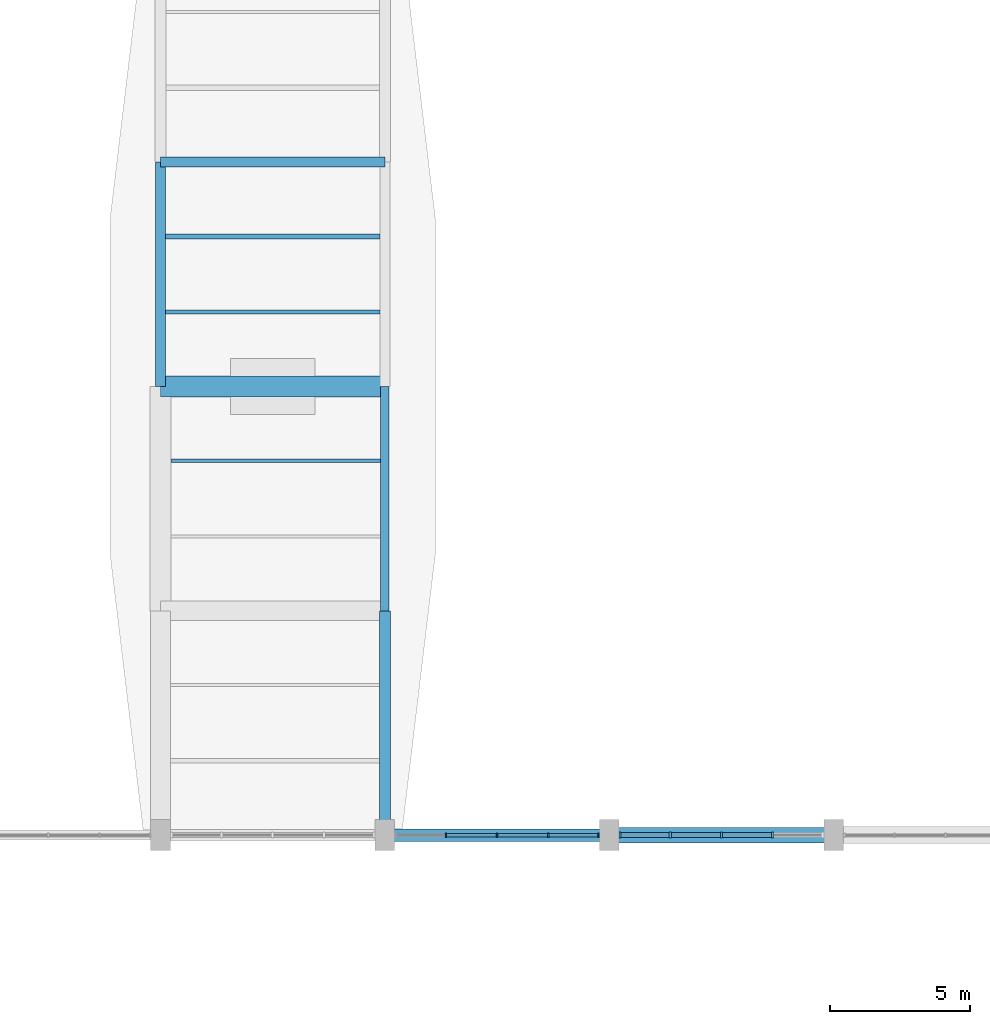
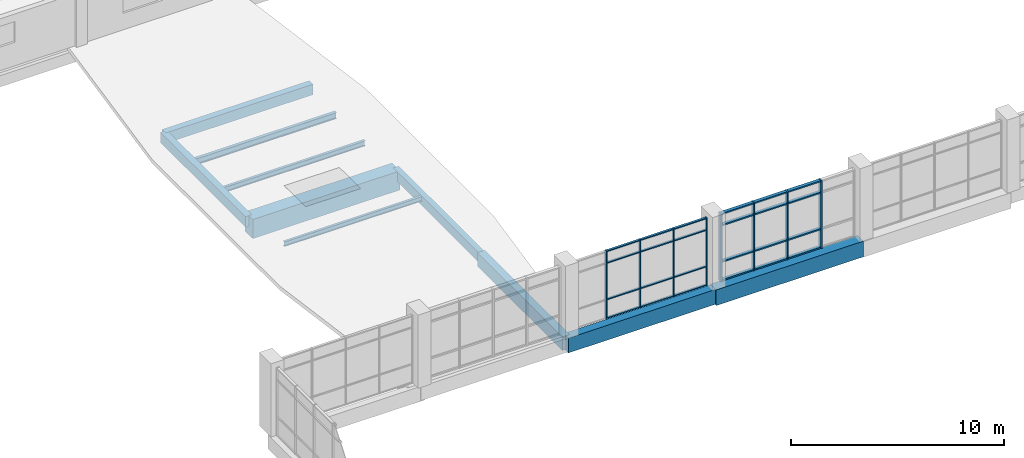
# One storey, part 8 of 72: 32 members, 10 beams, 2 elements without a shape of their own.
"""IFC4 building model written with IfcOpenShell, lengths in metres."""

from ifc_helpers import new_model, si_unit, direction, frame, origin, origin_2d, place, context, subcontext, project, spatial, rectangle, i_section, extrude, material, material_profile, profile_set, type_object, element, aggregate, save


model = new_model("IFC4")

# Units and contexts
model_context = context("Model", 3, precision=1e-05, world=origin(), true_north=direction((0.0, 1.0)))
body_context = subcontext(model_context, "Body", "Model", "MODEL_VIEW")
ifc_project = project(units=[si_unit("LENGTHUNIT", "METRE"), si_unit("AREAUNIT", "SQUARE_METRE"), si_unit("VOLUMEUNIT", "CUBIC_METRE"), si_unit("PLANEANGLEUNIT", "RADIAN"), si_unit("MASSUNIT", "GRAM", prefix="KILO")], contexts=[model_context])

# Site, building, storey
site_placement = place(None, origin())
site = spatial("IfcSite", under=ifc_project, at=site_placement, CompositionType="ELEMENT")
building_placement = place(site_placement, origin())
building = spatial("IfcBuilding", under=site, at=building_placement, Name="Tenunan Teduh Sports Hall", CompositionType="ELEMENT")
storey_placement = place(building_placement, frame((0.0, 0.0, 15.0)))
storey = spatial("IfcBuildingStorey", under=building, at=storey_placement, Name="L03", CompositionType="ELEMENT", Elevation=15.0)

# Beams
ifc_material_1 = material(Name="Concrete C40/50", Category="concrete")
ifc_material_profile_1 = material_profile(ifc_material_1, rectangle(XDim=0.300048828125, YDim=0.550048828125, at=origin_2d()), Name="RCB 300x550")
ifc_profile_set_1 = profile_set([ifc_material_profile_1], Name="Concrete C40/50")
beam_type_1 = type_object("IfcBeamType", Name="BM-RC-300x550", PredefinedType="BEAM", material=ifc_profile_set_1)
beam_1_placement = place(storey_placement, frame((22.0, 54.0, -0.514892578125), z_axis=(0.0, 1.0, 0.0), x_axis=(-1.0, 0.0, 0.0)))
element("IfcBeam", 1, at=beam_1_placement, inside=storey, type_object=beam_type_1, Name="BM-B-02-L03-1895", PredefinedType="BEAM", context=body_context, shape_type="SweptSolid", body=[
    extrude(rectangle(XDim=0.300048828125, YDim=0.550048828125, at=origin_2d()), origin(), (0.0, 0.0, 1.0), 8.0),
])
ifc_material_2 = material(Name="Concrete C40/50", Category="concrete")
ifc_material_profile_2 = material_profile(ifc_material_2, rectangle(XDim=0.35009765625, YDim=0.60009765625, at=origin_2d()), Name="RCB 350x600")
ifc_profile_set_2 = profile_set([ifc_material_profile_2], Name="Concrete C40/50")
beam_type_2 = type_object("IfcBeamType", Name="BM-RC-350x600", PredefinedType="BEAM", material=ifc_profile_set_2)
for number, where, z_axis, x_axis, name in (
    (2, (14.0, 70.0, -0.5400390625), (1.0, 0.0, 0.0), (0.0, 1.0, 0.0), "BM-B-04-L03-1824"),
    (3, (14.0, 62.0, -0.5400390625), (0.0, 1.0, 0.0), (-1.0, 0.0, 0.0), "BM-B-04-L03-1887"),
):
    element("IfcBeam", number, at=place(storey_placement, frame(where, z_axis=z_axis, x_axis=x_axis)), inside=storey, type_object=beam_type_2, Name=name, PredefinedType="BEAM", context=body_context, shape_type="SweptSolid", body=[
        extrude(rectangle(XDim=0.35009765625, YDim=0.60009765625, at=origin_2d()), origin(), (0.0, 0.0, 1.0), 8.0),
    ])
ifc_material_3 = material(Name="Concrete C40/50", Category="concrete")
ifc_material_profile_3 = material_profile(ifc_material_3, rectangle(XDim=0.449951171875, YDim=0.85009765625, at=origin_2d()), Name="RCB 450x850")
ifc_profile_set_3 = profile_set([ifc_material_profile_3], Name="Concrete C40/50")
beam_type_3 = type_object("IfcBeamType", Name="BM-RC-450x850", PredefinedType="BEAM", material=ifc_profile_set_3)
beam_2_placement = place(storey_placement, frame((22.0, 46.0, -0.6650390625), z_axis=(1.0, 0.0, 0.0), x_axis=(0.0, 1.0, 0.0)))
element("IfcBeam", 4, at=beam_2_placement, inside=storey, type_object=beam_type_3, Name="BM-B-13-L03-1818", PredefinedType="BEAM", context=body_context, shape_type="SweptSolid", body=[
    extrude(rectangle(XDim=0.449951171875, YDim=0.85009765625, at=origin_2d()), origin(), (0.0, 0.0, 1.0), 8.0),
])
ifc_material_4 = material(Name="Concrete C40/50", Category="concrete")
ifc_material_profile_4 = material_profile(ifc_material_4, rectangle(XDim=0.550048828125, YDim=0.89990234375, at=origin_2d()), Name="RCB 550x900")
ifc_profile_set_4 = profile_set([ifc_material_profile_4], Name="Concrete C40/50")
beam_type_4 = type_object("IfcBeamType", Name="BM-RC-550x900", PredefinedType="BEAM", material=ifc_profile_set_4)
beam_3_placement = place(storey_placement, frame((30.0, 46.0, -0.68994140625), z_axis=(1.0, 0.0, 0.0), x_axis=(0.0, 1.0, 0.0)))
element("IfcBeam", 5, at=beam_3_placement, inside=storey, type_object=beam_type_4, Name="BM-B-16-L03-1819", PredefinedType="BEAM", context=body_context, shape_type="SweptSolid", body=[
    extrude(rectangle(XDim=0.550048828125, YDim=0.89990234375, at=origin_2d()), origin(), (0.0, 0.0, 1.0), 8.0),
])
ifc_material_5 = material(Name="Concrete C40/50", Category="concrete")
ifc_material_profile_5 = material_profile(ifc_material_5, rectangle(XDim=0.75, YDim=1.10009765625, at=origin_2d()), Name="RCB 750x1100")
ifc_profile_set_5 = profile_set([ifc_material_profile_5], Name="Concrete C40/50")
beam_type_5 = type_object("IfcBeamType", Name="BM-RC-750x1100", PredefinedType="SPANDREL", material=ifc_profile_set_5)
beam_4_placement = place(storey_placement, frame((14.0, 62.0, -0.7900390625), z_axis=(1.0, 0.0, 0.0), x_axis=(0.0, 1.0, 0.0)))
element("IfcBeam", 6, at=beam_4_placement, inside=storey, type_object=beam_type_5, Name="BM-B-20-L03-1823", PredefinedType="SPANDREL", context=body_context, shape_type="SweptSolid", body=[
    extrude(rectangle(XDim=0.75, YDim=1.10009765625, at=origin_2d()), origin(), (0.0, 0.0, 1.0), 8.0),
])
ifc_material_6 = material(Name="Concrete C40/50", Category="concrete")
ifc_material_profile_6 = material_profile(ifc_material_6, rectangle(XDim=0.39990234375, YDim=0.780029296875, at=origin_2d()), Name="TB 400x780")
ifc_profile_set_6 = profile_set([ifc_material_profile_6], Name="Concrete C40/50")
beam_type_6 = type_object("IfcBeamType", Name="BM-TB-400x780", PredefinedType="T_BEAM", material=ifc_profile_set_6)
beam_5_placement = place(storey_placement, frame((22.0, 46.0, -0.6298828125), z_axis=(0.0, 1.0, 0.0), x_axis=(-1.0, 0.0, 0.0)))
element("IfcBeam", 7, at=beam_5_placement, inside=storey, type_object=beam_type_6, Name="BM-TB-02-L03-1894", PredefinedType="T_BEAM", context=body_context, shape_type="SweptSolid", body=[
    extrude(rectangle(XDim=0.39990234375, YDim=0.780029296875, at=origin_2d()), origin(), (0.0, 0.0, 1.0), 8.0),
])

# Curtain wall, members
ifc_material_7 = material(Name="Anodised aluminium", Category="aluminium")
curtain_wall_type = type_object("IfcCurtainWallType", Name="CW-UNIT-2", PredefinedType="NOTDEFINED", material=ifc_material_7)
curtain_wall_1_placement = place(storey_placement, origin())
curtain_wall_1 = element("IfcCurtainWall", 8, at=curtain_wall_1_placement, inside=storey, type_object=curtain_wall_type, Name="CW-CWM-150-L03-079", PredefinedType="NOTDEFINED")
ifc_material_8 = material(Name="Anodised aluminium", Category="aluminium")
ifc_material_profile_7 = material_profile(ifc_material_8, rectangle(XDim=0.06005859375, YDim=0.14990234375, at=origin_2d()), Name="CWM 60x150")
ifc_profile_set_7 = profile_set([ifc_material_profile_7], Name="Anodised aluminium")
member_type_1 = type_object("IfcMemberType", Name="CWM-150", PredefinedType="MULLION", material=ifc_profile_set_7)
member_1_placement = place(storey_placement, frame((24.175048828125, 46.0, 0.0), z_axis=(0.0, 0.0, 1.0), x_axis=(1.0, 0.0, 0.0)))
member_1 = element("IfcMember", 9, at=member_1_placement, type_object=member_type_1, Name="CW-02 mullion 2", PredefinedType="MULLION", context=body_context, shape_type="SweptSolid", body=[
    extrude(rectangle(XDim=0.06005859375, YDim=0.14990234375, at=origin_2d()), origin(), (0.0, 0.0, 1.0), 3.89990234375),
])
member_2_placement = place(storey_placement, frame((26.0, 46.0, 0.0), z_axis=(0.0, 0.0, 1.0), x_axis=(1.0, 0.0, 0.0)))
member_2 = element("IfcMember", 10, at=member_2_placement, type_object=member_type_1, Name="CW-02 mullion 3", PredefinedType="MULLION", context=body_context, shape_type="SweptSolid", body=[
    extrude(rectangle(XDim=0.06005859375, YDim=0.14990234375, at=origin_2d()), origin(), (0.0, 0.0, 1.0), 3.89990234375),
])
member_3_placement = place(storey_placement, frame((27.824951171875, 46.0, 0.0), z_axis=(0.0, 0.0, 1.0), x_axis=(1.0, 0.0, 0.0)))
member_3 = element("IfcMember", 11, at=member_3_placement, type_object=member_type_1, Name="CW-02 mullion 4", PredefinedType="MULLION", context=body_context, shape_type="SweptSolid", body=[
    extrude(rectangle(XDim=0.06005859375, YDim=0.14990234375, at=origin_2d()), origin(), (0.0, 0.0, 1.0), 3.89990234375),
])
member_4_placement = place(storey_placement, frame((29.6201171875, 46.0, 0.0), z_axis=(0.0, 0.0, 1.0), x_axis=(1.0, 0.0, 0.0)))
member_4 = element("IfcMember", 12, at=member_4_placement, type_object=member_type_1, Name="CW-02 mullion 5", PredefinedType="MULLION", context=body_context, shape_type="SweptSolid", body=[
    extrude(rectangle(XDim=0.06005859375, YDim=0.14990234375, at=origin_2d()), origin(), (0.0, 0.0, 1.0), 3.89990234375),
])

curtain_wall_2_placement = place(storey_placement, origin())
curtain_wall_2 = element("IfcCurtainWall", 13, at=curtain_wall_2_placement, inside=storey, type_object=curtain_wall_type, Name="CW-CWM-220-L03-081", PredefinedType="NOTDEFINED")
ifc_material_9 = material(Name="Anodised aluminium", Category="aluminium")
ifc_material_profile_8 = material_profile(ifc_material_9, rectangle(XDim=0.074951171875, YDim=0.219970703125, at=origin_2d()), Name="CWM 75x220")
ifc_profile_set_8 = profile_set([ifc_material_profile_8], Name="Anodised aluminium")
member_type_2 = type_object("IfcMemberType", Name="CWM-220", PredefinedType="MULLION", material=ifc_profile_set_8)
member_5_placement = place(storey_placement, frame((30.387451171875, 46.0, 0.0), z_axis=(0.0, 0.0, 1.0), x_axis=(1.0, 0.0, 0.0)))
member_5 = element("IfcMember", 14, at=member_5_placement, type_object=member_type_2, Name="CW-02 mullion 1", PredefinedType="MULLION", context=body_context, shape_type="SweptSolid", body=[
    extrude(rectangle(XDim=0.074951171875, YDim=0.219970703125, at=origin_2d()), origin(), (0.0, 0.0, 1.0), 3.89990234375),
])
member_6_placement = place(storey_placement, frame((32.175048828125, 46.0, 0.0), z_axis=(0.0, 0.0, 1.0), x_axis=(1.0, 0.0, 0.0)))
member_6 = element("IfcMember", 15, at=member_6_placement, type_object=member_type_2, Name="CW-02 mullion 2", PredefinedType="MULLION", context=body_context, shape_type="SweptSolid", body=[
    extrude(rectangle(XDim=0.074951171875, YDim=0.219970703125, at=origin_2d()), origin(), (0.0, 0.0, 1.0), 3.89990234375),
])
member_7_placement = place(storey_placement, frame((34.0, 46.0, 0.0), z_axis=(0.0, 0.0, 1.0), x_axis=(1.0, 0.0, 0.0)))
member_7 = element("IfcMember", 16, at=member_7_placement, type_object=member_type_2, Name="CW-02 mullion 3", PredefinedType="MULLION", context=body_context, shape_type="SweptSolid", body=[
    extrude(rectangle(XDim=0.074951171875, YDim=0.219970703125, at=origin_2d()), origin(), (0.0, 0.0, 1.0), 3.89990234375),
])
member_8_placement = place(storey_placement, frame((35.824951171875, 46.0, 0.0), z_axis=(0.0, 0.0, 1.0), x_axis=(1.0, 0.0, 0.0)))
member_8 = element("IfcMember", 17, at=member_8_placement, type_object=member_type_2, Name="CW-02 mullion 4", PredefinedType="MULLION", context=body_context, shape_type="SweptSolid", body=[
    extrude(rectangle(XDim=0.074951171875, YDim=0.219970703125, at=origin_2d()), origin(), (0.0, 0.0, 1.0), 3.89990234375),
])

# Member
ifc_material_10 = material(Name="Anodised aluminium", Category="aluminium")
ifc_material_profile_9 = material_profile(ifc_material_10, rectangle(XDim=0.06005859375, YDim=0.1201171875, at=origin_2d()), Name="CWT 60x120")
ifc_profile_set_9 = profile_set([ifc_material_profile_9], Name="Anodised aluminium")
member_type_3 = type_object("IfcMemberType", Name="CWT-125", PredefinedType="USERDEFINED", material=ifc_profile_set_9)
member_9_placement = place(storey_placement, frame((24.205078125, 46.0, 0.030029296875), z_axis=(1.0, 0.0, 0.0), x_axis=(0.0, 0.0, 1.0)))
member_9 = element("IfcMember", 18, at=member_9_placement, type_object=member_type_3, Name="CW-02 transom 2.1", ObjectType="TRANSOM", PredefinedType="USERDEFINED", context=body_context, shape_type="SweptSolid", body=[
    extrude(rectangle(XDim=0.06005859375, YDim=0.1201171875, at=origin_2d()), origin(), (0.0, 0.0, 1.0), 1.764892578125),
])

member_10_placement = place(storey_placement, frame((24.205078125, 46.0, 1.10009765625), z_axis=(1.0, 0.0, 0.0), x_axis=(0.0, 0.0, 1.0)))
member_10 = element("IfcMember", 19, at=member_10_placement, type_object=member_type_3, Name="CW-02 transom 2.2", ObjectType="TRANSOM", PredefinedType="USERDEFINED", context=body_context, shape_type="SweptSolid", body=[
    extrude(rectangle(XDim=0.06005859375, YDim=0.1201171875, at=origin_2d()), origin(), (0.0, 0.0, 1.0), 1.764892578125),
])

member_11_placement = place(storey_placement, frame((24.205078125, 46.0, 3.199951171875), z_axis=(1.0, 0.0, 0.0), x_axis=(0.0, 0.0, 1.0)))
member_11 = element("IfcMember", 20, at=member_11_placement, type_object=member_type_3, Name="CW-02 transom 2.3", ObjectType="TRANSOM", PredefinedType="USERDEFINED", context=body_context, shape_type="SweptSolid", body=[
    extrude(rectangle(XDim=0.06005859375, YDim=0.1201171875, at=origin_2d()), origin(), (0.0, 0.0, 1.0), 1.764892578125),
])

member_12_placement = place(storey_placement, frame((24.205078125, 46.0, 3.8701171875), z_axis=(1.0, 0.0, 0.0), x_axis=(0.0, 0.0, 1.0)))
member_12 = element("IfcMember", 21, at=member_12_placement, type_object=member_type_3, Name="CW-02 transom 2.4", ObjectType="TRANSOM", PredefinedType="USERDEFINED", context=body_context, shape_type="SweptSolid", body=[
    extrude(rectangle(XDim=0.06005859375, YDim=0.1201171875, at=origin_2d()), origin(), (0.0, 0.0, 1.0), 1.764892578125),
])

member_13_placement = place(storey_placement, frame((26.030029296875, 46.0, 0.030029296875), z_axis=(1.0, 0.0, 0.0), x_axis=(0.0, 0.0, 1.0)))
member_13 = element("IfcMember", 22, at=member_13_placement, type_object=member_type_3, Name="CW-02 transom 3.1", ObjectType="TRANSOM", PredefinedType="USERDEFINED", context=body_context, shape_type="SweptSolid", body=[
    extrude(rectangle(XDim=0.06005859375, YDim=0.1201171875, at=origin_2d()), origin(), (0.0, 0.0, 1.0), 1.764892578125),
])

member_14_placement = place(storey_placement, frame((26.030029296875, 46.0, 1.10009765625), z_axis=(1.0, 0.0, 0.0), x_axis=(0.0, 0.0, 1.0)))
member_14 = element("IfcMember", 23, at=member_14_placement, type_object=member_type_3, Name="CW-02 transom 3.2", ObjectType="TRANSOM", PredefinedType="USERDEFINED", context=body_context, shape_type="SweptSolid", body=[
    extrude(rectangle(XDim=0.06005859375, YDim=0.1201171875, at=origin_2d()), origin(), (0.0, 0.0, 1.0), 1.764892578125),
])

member_15_placement = place(storey_placement, frame((26.030029296875, 46.0, 3.199951171875), z_axis=(1.0, 0.0, 0.0), x_axis=(0.0, 0.0, 1.0)))
member_15 = element("IfcMember", 24, at=member_15_placement, type_object=member_type_3, Name="CW-02 transom 3.3", ObjectType="TRANSOM", PredefinedType="USERDEFINED", context=body_context, shape_type="SweptSolid", body=[
    extrude(rectangle(XDim=0.06005859375, YDim=0.1201171875, at=origin_2d()), origin(), (0.0, 0.0, 1.0), 1.764892578125),
])

member_16_placement = place(storey_placement, frame((26.030029296875, 46.0, 3.8701171875), z_axis=(1.0, 0.0, 0.0), x_axis=(0.0, 0.0, 1.0)))
member_16 = element("IfcMember", 25, at=member_16_placement, type_object=member_type_3, Name="CW-02 transom 3.4", ObjectType="TRANSOM", PredefinedType="USERDEFINED", context=body_context, shape_type="SweptSolid", body=[
    extrude(rectangle(XDim=0.06005859375, YDim=0.1201171875, at=origin_2d()), origin(), (0.0, 0.0, 1.0), 1.764892578125),
])

member_17_placement = place(storey_placement, frame((27.85498046875, 46.0, 0.030029296875), z_axis=(1.0, 0.0, 0.0), x_axis=(0.0, 0.0, 1.0)))
member_17 = element("IfcMember", 26, at=member_17_placement, type_object=member_type_3, Name="CW-02 transom 4.1", ObjectType="TRANSOM", PredefinedType="USERDEFINED", context=body_context, shape_type="SweptSolid", body=[
    extrude(rectangle(XDim=0.06005859375, YDim=0.1201171875, at=origin_2d()), origin(), (0.0, 0.0, 1.0), 1.735107421875),
])

member_18_placement = place(storey_placement, frame((27.85498046875, 46.0, 1.10009765625), z_axis=(1.0, 0.0, 0.0), x_axis=(0.0, 0.0, 1.0)))
member_18 = element("IfcMember", 27, at=member_18_placement, type_object=member_type_3, Name="CW-02 transom 4.2", ObjectType="TRANSOM", PredefinedType="USERDEFINED", context=body_context, shape_type="SweptSolid", body=[
    extrude(rectangle(XDim=0.06005859375, YDim=0.1201171875, at=origin_2d()), origin(), (0.0, 0.0, 1.0), 1.735107421875),
])

member_19_placement = place(storey_placement, frame((27.85498046875, 46.0, 3.199951171875), z_axis=(1.0, 0.0, 0.0), x_axis=(0.0, 0.0, 1.0)))
member_19 = element("IfcMember", 28, at=member_19_placement, type_object=member_type_3, Name="CW-02 transom 4.3", ObjectType="TRANSOM", PredefinedType="USERDEFINED", context=body_context, shape_type="SweptSolid", body=[
    extrude(rectangle(XDim=0.06005859375, YDim=0.1201171875, at=origin_2d()), origin(), (0.0, 0.0, 1.0), 1.735107421875),
])

member_20_placement = place(storey_placement, frame((27.85498046875, 46.0, 3.8701171875), z_axis=(1.0, 0.0, 0.0), x_axis=(0.0, 0.0, 1.0)))
member_20 = element("IfcMember", 29, at=member_20_placement, type_object=member_type_3, Name="CW-02 transom 4.4", ObjectType="TRANSOM", PredefinedType="USERDEFINED", context=body_context, shape_type="SweptSolid", body=[
    extrude(rectangle(XDim=0.06005859375, YDim=0.1201171875, at=origin_2d()), origin(), (0.0, 0.0, 1.0), 1.735107421875),
])

aggregate(curtain_wall_1, [member_1, member_2, member_3, member_4, member_9, member_10, member_11, member_12, member_13, member_14, member_15, member_16, member_17, member_18, member_19, member_20])

ifc_material_11 = material(Name="Anodised aluminium", Category="aluminium")
ifc_material_profile_10 = material_profile(ifc_material_11, rectangle(XDim=0.074951171875, YDim=0.179931640625, at=origin_2d()), Name="CWT 75x180")
ifc_profile_set_10 = profile_set([ifc_material_profile_10], Name="Anodised aluminium")
member_type_4 = type_object("IfcMemberType", Name="CWT-180", PredefinedType="USERDEFINED", material=ifc_profile_set_10)
member_21_placement = place(storey_placement, frame((30.425048828125, 46.0, 0.03759765625), z_axis=(1.0, 0.0, 0.0), x_axis=(0.0, 0.0, 1.0)))
member_21 = element("IfcMember", 30, at=member_21_placement, type_object=member_type_4, Name="CW-02 transom 1.1", ObjectType="TRANSOM", PredefinedType="USERDEFINED", context=body_context, shape_type="SweptSolid", body=[
    extrude(rectangle(XDim=0.074951171875, YDim=0.179931640625, at=origin_2d()), origin(), (0.0, 0.0, 1.0), 1.71240234375),
])

member_22_placement = place(storey_placement, frame((30.425048828125, 46.0, 1.10009765625), z_axis=(1.0, 0.0, 0.0), x_axis=(0.0, 0.0, 1.0)))
member_22 = element("IfcMember", 31, at=member_22_placement, type_object=member_type_4, Name="CW-02 transom 1.2", ObjectType="TRANSOM", PredefinedType="USERDEFINED", context=body_context, shape_type="SweptSolid", body=[
    extrude(rectangle(XDim=0.074951171875, YDim=0.179931640625, at=origin_2d()), origin(), (0.0, 0.0, 1.0), 1.71240234375),
])

member_23_placement = place(storey_placement, frame((30.425048828125, 46.0, 3.199951171875), z_axis=(1.0, 0.0, 0.0), x_axis=(0.0, 0.0, 1.0)))
member_23 = element("IfcMember", 32, at=member_23_placement, type_object=member_type_4, Name="CW-02 transom 1.3", ObjectType="TRANSOM", PredefinedType="USERDEFINED", context=body_context, shape_type="SweptSolid", body=[
    extrude(rectangle(XDim=0.074951171875, YDim=0.179931640625, at=origin_2d()), origin(), (0.0, 0.0, 1.0), 1.71240234375),
])

member_24_placement = place(storey_placement, frame((30.425048828125, 46.0, 3.862548828125), z_axis=(1.0, 0.0, 0.0), x_axis=(0.0, 0.0, 1.0)))
member_24 = element("IfcMember", 33, at=member_24_placement, type_object=member_type_4, Name="CW-02 transom 1.4", ObjectType="TRANSOM", PredefinedType="USERDEFINED", context=body_context, shape_type="SweptSolid", body=[
    extrude(rectangle(XDim=0.074951171875, YDim=0.179931640625, at=origin_2d()), origin(), (0.0, 0.0, 1.0), 1.71240234375),
])

member_25_placement = place(storey_placement, frame((32.21240234375, 46.0, 0.03759765625), z_axis=(1.0, 0.0, 0.0), x_axis=(0.0, 0.0, 1.0)))
member_25 = element("IfcMember", 34, at=member_25_placement, type_object=member_type_4, Name="CW-02 transom 2.1", ObjectType="TRANSOM", PredefinedType="USERDEFINED", context=body_context, shape_type="SweptSolid", body=[
    extrude(rectangle(XDim=0.074951171875, YDim=0.179931640625, at=origin_2d()), origin(), (0.0, 0.0, 1.0), 1.75),
])

member_26_placement = place(storey_placement, frame((32.21240234375, 46.0, 1.10009765625), z_axis=(1.0, 0.0, 0.0), x_axis=(0.0, 0.0, 1.0)))
member_26 = element("IfcMember", 35, at=member_26_placement, type_object=member_type_4, Name="CW-02 transom 2.2", ObjectType="TRANSOM", PredefinedType="USERDEFINED", context=body_context, shape_type="SweptSolid", body=[
    extrude(rectangle(XDim=0.074951171875, YDim=0.179931640625, at=origin_2d()), origin(), (0.0, 0.0, 1.0), 1.75),
])

member_27_placement = place(storey_placement, frame((32.21240234375, 46.0, 3.199951171875), z_axis=(1.0, 0.0, 0.0), x_axis=(0.0, 0.0, 1.0)))
member_27 = element("IfcMember", 36, at=member_27_placement, type_object=member_type_4, Name="CW-02 transom 2.3", ObjectType="TRANSOM", PredefinedType="USERDEFINED", context=body_context, shape_type="SweptSolid", body=[
    extrude(rectangle(XDim=0.074951171875, YDim=0.179931640625, at=origin_2d()), origin(), (0.0, 0.0, 1.0), 1.75),
])

member_28_placement = place(storey_placement, frame((32.21240234375, 46.0, 3.862548828125), z_axis=(1.0, 0.0, 0.0), x_axis=(0.0, 0.0, 1.0)))
member_28 = element("IfcMember", 37, at=member_28_placement, type_object=member_type_4, Name="CW-02 transom 2.4", ObjectType="TRANSOM", PredefinedType="USERDEFINED", context=body_context, shape_type="SweptSolid", body=[
    extrude(rectangle(XDim=0.074951171875, YDim=0.179931640625, at=origin_2d()), origin(), (0.0, 0.0, 1.0), 1.75),
])

member_29_placement = place(storey_placement, frame((34.03759765625, 46.0, 0.03759765625), z_axis=(1.0, 0.0, 0.0), x_axis=(0.0, 0.0, 1.0)))
member_29 = element("IfcMember", 38, at=member_29_placement, type_object=member_type_4, Name="CW-02 transom 3.1", ObjectType="TRANSOM", PredefinedType="USERDEFINED", context=body_context, shape_type="SweptSolid", body=[
    extrude(rectangle(XDim=0.074951171875, YDim=0.179931640625, at=origin_2d()), origin(), (0.0, 0.0, 1.0), 1.75),
])

member_30_placement = place(storey_placement, frame((34.03759765625, 46.0, 1.10009765625), z_axis=(1.0, 0.0, 0.0), x_axis=(0.0, 0.0, 1.0)))
member_30 = element("IfcMember", 39, at=member_30_placement, type_object=member_type_4, Name="CW-02 transom 3.2", ObjectType="TRANSOM", PredefinedType="USERDEFINED", context=body_context, shape_type="SweptSolid", body=[
    extrude(rectangle(XDim=0.074951171875, YDim=0.179931640625, at=origin_2d()), origin(), (0.0, 0.0, 1.0), 1.75),
])

member_31_placement = place(storey_placement, frame((34.03759765625, 46.0, 3.199951171875), z_axis=(1.0, 0.0, 0.0), x_axis=(0.0, 0.0, 1.0)))
member_31 = element("IfcMember", 40, at=member_31_placement, type_object=member_type_4, Name="CW-02 transom 3.3", ObjectType="TRANSOM", PredefinedType="USERDEFINED", context=body_context, shape_type="SweptSolid", body=[
    extrude(rectangle(XDim=0.074951171875, YDim=0.179931640625, at=origin_2d()), origin(), (0.0, 0.0, 1.0), 1.75),
])

member_32_placement = place(storey_placement, frame((34.03759765625, 46.0, 3.862548828125), z_axis=(1.0, 0.0, 0.0), x_axis=(0.0, 0.0, 1.0)))
member_32 = element("IfcMember", 41, at=member_32_placement, type_object=member_type_4, Name="CW-02 transom 3.4", ObjectType="TRANSOM", PredefinedType="USERDEFINED", context=body_context, shape_type="SweptSolid", body=[
    extrude(rectangle(XDim=0.074951171875, YDim=0.179931640625, at=origin_2d()), origin(), (0.0, 0.0, 1.0), 1.75),
])

aggregate(curtain_wall_2, [member_5, member_6, member_7, member_8, member_21, member_22, member_23, member_24, member_25, member_26, member_27, member_28, member_29, member_30, member_31, member_32])

# Beams
ifc_material_12 = material(Name="Steel S355", Category="steel")
ifc_material_profile_11 = material_profile(ifc_material_12, i_section(OverallWidth=0.135009765625, OverallDepth=0.27001953125, WebThickness=0.006591796875, FlangeThickness=0.01025390625, FilletRadius=0.014892578125, at=origin_2d()), Name="IPE 270")
ifc_profile_set_11 = profile_set([ifc_material_profile_11], Name="Steel S355")
beam_type_7 = type_object("IfcBeamType", Name="JST-IPE270", PredefinedType="JOIST", material=ifc_profile_set_11)
beam_6_placement = place(storey_placement, frame((14.375, 59.35009765625, -0.375), z_axis=(1.0, 0.0, 0.0), x_axis=(0.0, 1.0, 0.0)))
element("IfcBeam", 42, at=beam_6_placement, inside=storey, type_object=beam_type_7, Name="BM-J-03-L03-1957", PredefinedType="JOIST", context=body_context, shape_type="SweptSolid", body=[
    extrude(i_section(OverallWidth=0.135009765625, OverallDepth=0.27001953125, WebThickness=0.006591796875, FlangeThickness=0.01025390625, FilletRadius=0.014892578125, at=origin_2d()), origin(), (0.0, 0.0, 1.0), 7.47509765625),
])
ifc_material_13 = material(Name="Steel S355", Category="steel")
ifc_material_profile_12 = material_profile(ifc_material_13, i_section(OverallWidth=0.14990234375, OverallDepth=0.300048828125, WebThickness=0.007080078125, FlangeThickness=0.0107421875, FilletRadius=0.014892578125, at=origin_2d()), Name="IPE 300")
ifc_profile_set_12 = profile_set([ifc_material_profile_12], Name="Steel S355")
beam_type_8 = type_object("IfcBeamType", Name="JST-IPE300", PredefinedType="JOIST", material=ifc_profile_set_12)
beam_7_placement = place(storey_placement, frame((14.175048828125, 64.64990234375, -0.389892578125), z_axis=(1.0, 0.0, 0.0), x_axis=(0.0, 1.0, 0.0)))
element("IfcBeam", 43, at=beam_7_placement, inside=storey, type_object=beam_type_8, Name="BM-J-04-L03-1958", PredefinedType="JOIST", context=body_context, shape_type="SweptSolid", body=[
    extrude(i_section(OverallWidth=0.14990234375, OverallDepth=0.300048828125, WebThickness=0.007080078125, FlangeThickness=0.0107421875, FilletRadius=0.014892578125, at=origin_2d()), origin(), (0.0, 0.0, 1.0), 7.64990234375),
])
ifc_material_14 = material(Name="Steel S355", Category="steel")
ifc_material_profile_13 = material_profile(ifc_material_14, i_section(OverallWidth=0.169921875, OverallDepth=0.360107421875, WebThickness=0.008056640625, FlangeThickness=0.0126953125, FilletRadius=0.01806640625, at=origin_2d()), Name="IPE 360")
ifc_profile_set_13 = profile_set([ifc_material_profile_13], Name="Steel S355")
beam_type_9 = type_object("IfcBeamType", Name="JST-IPE360", PredefinedType="JOIST", material=ifc_profile_set_13)
beam_8_placement = place(storey_placement, frame((14.175048828125, 67.35009765625, -0.419921875), z_axis=(1.0, 0.0, 0.0), x_axis=(0.0, 1.0, 0.0)))
element("IfcBeam", 44, at=beam_8_placement, inside=storey, type_object=beam_type_9, Name="BM-J-05-L03-1959", PredefinedType="JOIST", context=body_context, shape_type="SweptSolid", body=[
    extrude(i_section(OverallWidth=0.169921875, OverallDepth=0.360107421875, WebThickness=0.008056640625, FlangeThickness=0.0126953125, FilletRadius=0.01806640625, at=origin_2d()), origin(), (0.0, 0.0, 1.0), 7.64990234375),
])

save(model, "model.ifc")
